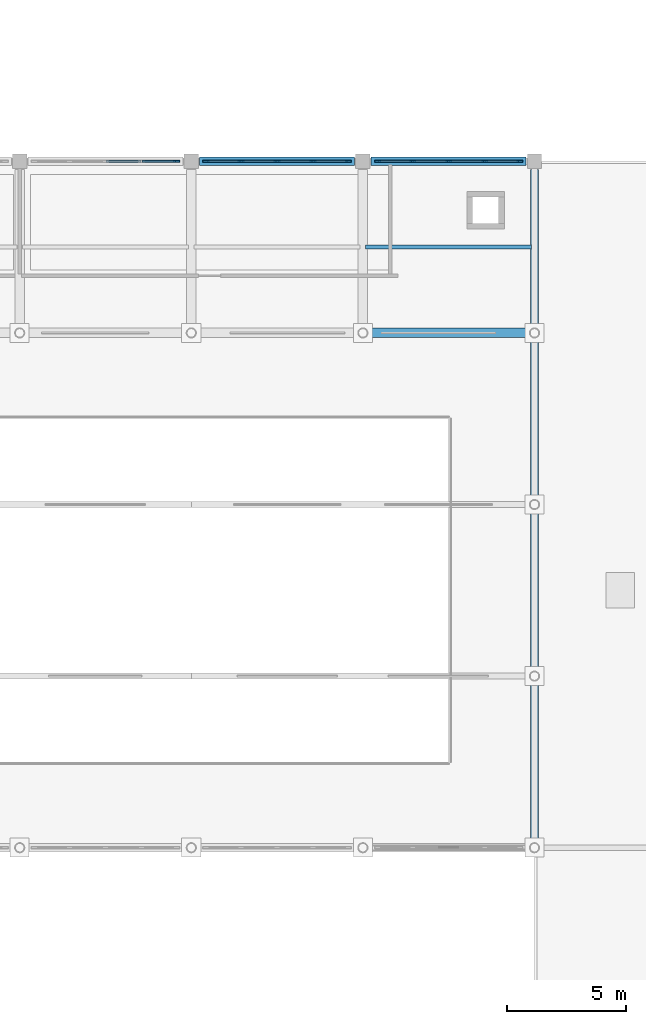
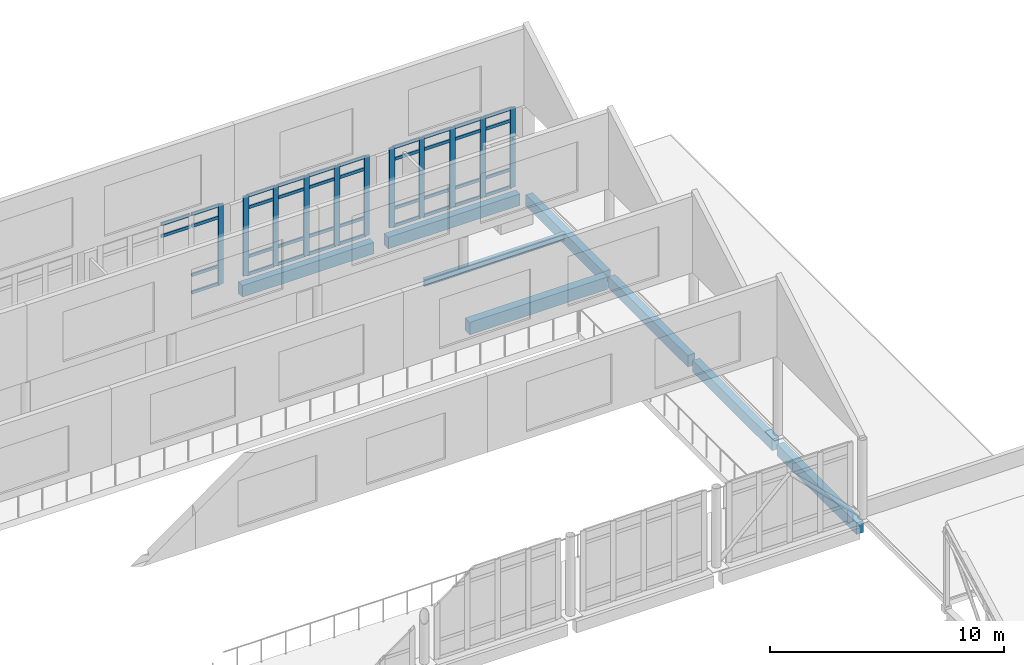
# One storey, part 22 of 62: 49 members, 8 beams, 3 elements without a shape of their own.
"""IFC4 building model written with IfcOpenShell, lengths in metres."""

from ifc_helpers import new_model, si_unit, direction, frame, origin, origin_2d, place, context, subcontext, project, spatial, rectangle, i_section, extrude, material, layer, layer_set, material_profile, profile_set, type_object, element, aggregate, save


model = new_model("IFC4")

# Units and contexts
model_context = context("Model", 3, precision=1e-05, world=origin(), true_north=direction((0.0, 1.0)))
body_context = subcontext(model_context, "Body", "Model", "MODEL_VIEW")
ifc_project = project(units=[si_unit("LENGTHUNIT", "METRE"), si_unit("AREAUNIT", "SQUARE_METRE"), si_unit("VOLUMEUNIT", "CUBIC_METRE"), si_unit("PLANEANGLEUNIT", "RADIAN"), si_unit("MASSUNIT", "GRAM", prefix="KILO")], contexts=[model_context])

# Site, building, storey
site_placement = place(None, origin())
site = spatial("IfcSite", under=ifc_project, at=site_placement, CompositionType="ELEMENT")
building_placement = place(site_placement, origin())
building = spatial("IfcBuilding", under=site, at=building_placement, Name="Valkovuoma Quantum and Materials Research Institute", CompositionType="ELEMENT")
storey_placement = place(building_placement, frame((0.0, 0.0, 13.1201171875)))
storey = spatial("IfcBuildingStorey", under=building, at=storey_placement, Name="L03", CompositionType="ELEMENT", Elevation=13.1201171875)

# Beams
ifc_material_1 = material(Name="Steel S355J2", Category="steel")
ifc_material_profile_1 = material_profile(ifc_material_1, i_section(OverallWidth=0.169921875, OverallDepth=0.360107421875, WebThickness=0.008056640625, FlangeThickness=0.0126953125, FilletRadius=0.01806640625, at=origin_2d()), Name="Steel S355J2")
ifc_profile_set_1 = profile_set([ifc_material_profile_1], Name="Steel S355J2")
beam_type_1 = type_object("IfcBeamType", Name="Beam-B-JST360", PredefinedType="JOIST", material=ifc_profile_set_1)
beam_1_placement = place(storey_placement, frame((93.719970703125, 61.199951171875, -0.530029296875), z_axis=(1.0, 0.0, 0.0), x_axis=(0.0, 1.0, 0.0)))
element("IfcBeam", 1, at=beam_1_placement, inside=storey, type_object=beam_type_1, Name="L03 floor joist 1745", PredefinedType="JOIST", context=body_context, shape_type="SweptSolid", body=[
    extrude(i_section(OverallWidth=0.169921875, OverallDepth=0.360107421875, WebThickness=0.008056640625, FlangeThickness=0.0126953125, FilletRadius=0.01806640625, at=origin_2d()), origin(), (0.0, 0.0, 1.0), 6.9599609375),
])
ifc_material_2 = material(Name="Concrete C40/50", Category="concrete")
ifc_material_profile_2 = material_profile(ifc_material_2, rectangle(XDim=0.39990234375, YDim=0.64990234375, at=origin_2d()), Name="Concrete C40/50")
ifc_profile_set_2 = profile_set([ifc_material_profile_2], Name="Concrete C40/50")
beam_type_2 = type_object("IfcBeamType", Name="Beam-B-RC650", PredefinedType="BEAM", material=ifc_profile_set_2)
beam_2_placement = place(storey_placement, frame((93.80322265625, 57.60009765625, -0.675048828125), z_axis=(1.0, 0.0, 0.0), x_axis=(0.0, 1.0, 0.0)))
element("IfcBeam", 2, at=beam_2_placement, inside=storey, type_object=beam_type_2, Name="L03 beam X-1477", PredefinedType="BEAM", context=body_context, shape_type="SweptSolid", body=[
    extrude(rectangle(XDim=0.39990234375, YDim=0.64990234375, at=origin_2d()), origin(), (0.0, 0.0, 1.0), 6.79345703125),
])
ifc_material_3 = material(Name="Concrete C40/50", Category="concrete")
ifc_material_profile_3 = material_profile(ifc_material_3, rectangle(XDim=0.35009765625, YDim=0.60009765625, at=origin_2d()), Name="Concrete C40/50")
ifc_profile_set_3 = profile_set([ifc_material_profile_3], Name="Concrete C40/50")
beam_type_3 = type_object("IfcBeamType", Name="Beam-B-SPN600", PredefinedType="SPANDREL", material=ifc_profile_set_3)
for number, where, z_axis, x_axis, name in (
    (3, (86.75, 64.800048828125, -0.650146484375), (1.0, 0.0, 0.0), (0.0, 1.0, 0.0), "L03 beam X-1495"),
    (4, (93.949951171875, 64.800048828125, -0.650146484375), (1.0, 0.0, 0.0), (0.0, 1.0, 0.0), "L03 beam X-1496"),
):
    element("IfcBeam", number, at=place(storey_placement, frame(where, z_axis=z_axis, x_axis=x_axis)), inside=storey, type_object=beam_type_3, Name=name, PredefinedType="SPANDREL", context=body_context, shape_type="SweptSolid", body=[
        extrude(rectangle(XDim=0.35009765625, YDim=0.60009765625, at=origin_2d()), origin(), (0.0, 0.0, 1.0), 6.5),
    ])
beam_3_placement = place(storey_placement, frame((100.800048828125, 36.203125, -0.650146484375), z_axis=(0.0, 1.0, 0.0), x_axis=(-1.0, 0.0, 0.0)))
element("IfcBeam", 5, at=beam_3_placement, inside=storey, type_object=beam_type_3, Name="L03 beam Y-1634", PredefinedType="SPANDREL", context=body_context, shape_type="SweptSolid", body=[
    extrude(rectangle(XDim=0.35009765625, YDim=0.60009765625, at=origin_2d()), origin(), (0.0, 0.0, 1.0), 6.793701171875),
])
for number, where, z_axis, x_axis, name in (
    (6, (100.800048828125, 43.4033203125, -0.650146484375), (0.0, 1.0, 0.0), (-1.0, 0.0, 0.0), "L03 beam Y-1635"),
    (7, (100.800048828125, 50.603271484375, -0.650146484375), (0.0, 1.0, 0.0), (-1.0, 0.0, 0.0), "L03 beam Y-1636"),
):
    element("IfcBeam", number, at=place(storey_placement, frame(where, z_axis=z_axis, x_axis=x_axis)), inside=storey, type_object=beam_type_3, Name=name, PredefinedType="SPANDREL", context=body_context, shape_type="SweptSolid", body=[
        extrude(rectangle(XDim=0.35009765625, YDim=0.60009765625, at=origin_2d()), origin(), (0.0, 0.0, 1.0), 6.79345703125),
    ])
beam_4_placement = place(storey_placement, frame((100.800048828125, 57.80322265625, -0.650146484375), z_axis=(0.0, 1.0, 0.0), x_axis=(-1.0, 0.0, 0.0)))
element("IfcBeam", 8, at=beam_4_placement, inside=storey, type_object=beam_type_3, Name="L03 beam Y-1637", PredefinedType="SPANDREL", context=body_context, shape_type="SweptSolid", body=[
    extrude(rectangle(XDim=0.35009765625, YDim=0.60009765625, at=origin_2d()), origin(), (0.0, 0.0, 1.0), 6.646728515625),
])

# Curtain wall, member
ifc_material_4 = material(Name="Thermally broken aluminium and triple low-E glazing", Category="aluminium")
ifc_layer = layer(ifc_material_4, 0.219970703125)
ifc_layer_set = layer_set([ifc_layer], Name="Thermally broken aluminium and triple low-E glazing")
curtain_wall_type = type_object("IfcCurtainWallType", Name="CW-CW-02", PredefinedType="NOTDEFINED", material=ifc_layer_set)
curtain_wall_1_placement = place(storey_placement, origin())
curtain_wall_1 = element("IfcCurtainWall", 9, at=curtain_wall_1_placement, inside=storey, type_object=curtain_wall_type, Name="L03 curtain wall 216", PredefinedType="NOTDEFINED")
ifc_material_5 = material(Name="Anodised aluminium 6060-T66", Category="aluminium")
ifc_material_profile_4 = material_profile(ifc_material_5, rectangle(XDim=0.080078125, YDim=0.260009765625, at=origin_2d()), Name="Anodised aluminium 6060-T66")
ifc_profile_set_4 = profile_set([ifc_material_profile_4], Name="Anodised aluminium 6060-T66")
member_type_1 = type_object("IfcMemberType", Name="CWMull-CWM-03", PredefinedType="MULLION", material=ifc_profile_set_4)
member_1_placement = place(storey_placement, frame((85.780029296875, 64.800048828125, 0.0), z_axis=(0.0, 0.0, 1.0), x_axis=(0.0, 1.0, 0.0)))
member_1 = element("IfcMember", 10, at=member_1_placement, type_object=member_type_1, Name="CW-02 mullion 5", PredefinedType="MULLION", context=body_context, shape_type="SweptSolid", body=[
    extrude(rectangle(XDim=0.080078125, YDim=0.260009765625, at=origin_2d()), origin(), (0.0, 0.0, 1.0), 4.159912109375),
])

# Curtain wall, members
curtain_wall_2_placement = place(storey_placement, origin())
curtain_wall_2 = element("IfcCurtainWall", 11, at=curtain_wall_2_placement, inside=storey, type_object=curtain_wall_type, Name="L03 curtain wall 217", PredefinedType="NOTDEFINED")
member_2_placement = place(storey_placement, frame((87.02001953125, 64.800048828125, 0.0), z_axis=(0.0, 0.0, 1.0), x_axis=(0.0, 1.0, 0.0)))
member_2 = element("IfcMember", 12, at=member_2_placement, type_object=member_type_1, Name="CW-02 mullion 1", PredefinedType="MULLION", context=body_context, shape_type="SweptSolid", body=[
    extrude(rectangle(XDim=0.080078125, YDim=0.260009765625, at=origin_2d()), origin(), (0.0, 0.0, 1.0), 4.159912109375),
])
member_3_placement = place(storey_placement, frame((88.489990234375, 64.800048828125, 0.0), z_axis=(0.0, 0.0, 1.0), x_axis=(0.0, 1.0, 0.0)))
member_3 = element("IfcMember", 13, at=member_3_placement, type_object=member_type_1, Name="CW-02 mullion 2", PredefinedType="MULLION", context=body_context, shape_type="SweptSolid", body=[
    extrude(rectangle(XDim=0.080078125, YDim=0.260009765625, at=origin_2d()), origin(), (0.0, 0.0, 1.0), 4.159912109375),
])
member_4_placement = place(storey_placement, frame((90.0, 64.800048828125, 0.0), z_axis=(0.0, 0.0, 1.0), x_axis=(0.0, 1.0, 0.0)))
member_4 = element("IfcMember", 14, at=member_4_placement, type_object=member_type_1, Name="CW-02 mullion 3", PredefinedType="MULLION", context=body_context, shape_type="SweptSolid", body=[
    extrude(rectangle(XDim=0.080078125, YDim=0.260009765625, at=origin_2d()), origin(), (0.0, 0.0, 1.0), 4.159912109375),
])
member_5_placement = place(storey_placement, frame((91.510009765625, 64.800048828125, 0.0), z_axis=(0.0, 0.0, 1.0), x_axis=(0.0, 1.0, 0.0)))
member_5 = element("IfcMember", 15, at=member_5_placement, type_object=member_type_1, Name="CW-02 mullion 4", PredefinedType="MULLION", context=body_context, shape_type="SweptSolid", body=[
    extrude(rectangle(XDim=0.080078125, YDim=0.260009765625, at=origin_2d()), origin(), (0.0, 0.0, 1.0), 4.159912109375),
])
member_6_placement = place(storey_placement, frame((92.97998046875, 64.800048828125, 0.0), z_axis=(0.0, 0.0, 1.0), x_axis=(0.0, 1.0, 0.0)))
member_6 = element("IfcMember", 16, at=member_6_placement, type_object=member_type_1, Name="CW-02 mullion 5", PredefinedType="MULLION", context=body_context, shape_type="SweptSolid", body=[
    extrude(rectangle(XDim=0.080078125, YDim=0.260009765625, at=origin_2d()), origin(), (0.0, 0.0, 1.0), 4.159912109375),
])

curtain_wall_3_placement = place(storey_placement, origin())
curtain_wall_3 = element("IfcCurtainWall", 17, at=curtain_wall_3_placement, inside=storey, type_object=curtain_wall_type, Name="L03 curtain wall 218", PredefinedType="NOTDEFINED")
member_7_placement = place(storey_placement, frame((94.219970703125, 64.800048828125, 0.0), z_axis=(0.0, 0.0, 1.0), x_axis=(0.0, 1.0, 0.0)))
member_7 = element("IfcMember", 18, at=member_7_placement, type_object=member_type_1, Name="CW-02 mullion 1", PredefinedType="MULLION", context=body_context, shape_type="SweptSolid", body=[
    extrude(rectangle(XDim=0.080078125, YDim=0.260009765625, at=origin_2d()), origin(), (0.0, 0.0, 1.0), 4.159912109375),
])
member_8_placement = place(storey_placement, frame((95.68994140625, 64.800048828125, 0.0), z_axis=(0.0, 0.0, 1.0), x_axis=(0.0, 1.0, 0.0)))
member_8 = element("IfcMember", 19, at=member_8_placement, type_object=member_type_1, Name="CW-02 mullion 2", PredefinedType="MULLION", context=body_context, shape_type="SweptSolid", body=[
    extrude(rectangle(XDim=0.080078125, YDim=0.260009765625, at=origin_2d()), origin(), (0.0, 0.0, 1.0), 4.159912109375),
])
member_9_placement = place(storey_placement, frame((97.199951171875, 64.800048828125, 0.0), z_axis=(0.0, 0.0, 1.0), x_axis=(0.0, 1.0, 0.0)))
member_9 = element("IfcMember", 20, at=member_9_placement, type_object=member_type_1, Name="CW-02 mullion 3", PredefinedType="MULLION", context=body_context, shape_type="SweptSolid", body=[
    extrude(rectangle(XDim=0.080078125, YDim=0.260009765625, at=origin_2d()), origin(), (0.0, 0.0, 1.0), 4.159912109375),
])
member_10_placement = place(storey_placement, frame((98.7099609375, 64.800048828125, 0.0), z_axis=(0.0, 0.0, 1.0), x_axis=(0.0, 1.0, 0.0)))
member_10 = element("IfcMember", 21, at=member_10_placement, type_object=member_type_1, Name="CW-02 mullion 4", PredefinedType="MULLION", context=body_context, shape_type="SweptSolid", body=[
    extrude(rectangle(XDim=0.080078125, YDim=0.260009765625, at=origin_2d()), origin(), (0.0, 0.0, 1.0), 4.159912109375),
])
member_11_placement = place(storey_placement, frame((100.179931640625, 64.800048828125, 0.0), z_axis=(0.0, 0.0, 1.0), x_axis=(0.0, 1.0, 0.0)))
member_11 = element("IfcMember", 22, at=member_11_placement, type_object=member_type_1, Name="CW-02 mullion 5", PredefinedType="MULLION", context=body_context, shape_type="SweptSolid", body=[
    extrude(rectangle(XDim=0.080078125, YDim=0.260009765625, at=origin_2d()), origin(), (0.0, 0.0, 1.0), 4.159912109375),
])

# Member
ifc_material_6 = material(Name="Anodised aluminium 6060-T66", Category="aluminium")
ifc_material_profile_5 = material_profile(ifc_material_6, rectangle(XDim=0.074951171875, YDim=0.159912109375, at=origin_2d()), Name="Anodised aluminium 6060-T66")
ifc_profile_set_5 = profile_set([ifc_material_profile_5], Name="Anodised aluminium 6060-T66")
member_type_2 = type_object("IfcMemberType", Name="CWTran-CWT-02", PredefinedType="USERDEFINED", material=ifc_profile_set_5)
member_12_placement = place(storey_placement, frame((82.840087890625, 64.800048828125, 3.509765625), z_axis=(1.0, 0.0, 0.0), x_axis=(0.0, 1.0, 0.0)))
member_12 = element("IfcMember", 23, at=member_12_placement, type_object=member_type_2, Name="CW-02 transom 3.3", ObjectType="TRANSOM", PredefinedType="USERDEFINED", context=body_context, shape_type="SweptSolid", body=[
    extrude(rectangle(XDim=0.074951171875, YDim=0.159912109375, at=origin_2d()), origin(), (0.0, 0.0, 1.0), 1.429931640625),
])

member_13_placement = place(storey_placement, frame((82.840087890625, 64.800048828125, 4.122314453125), z_axis=(1.0, 0.0, 0.0), x_axis=(0.0, 1.0, 0.0)))
member_13 = element("IfcMember", 24, at=member_13_placement, type_object=member_type_2, Name="CW-02 transom 3.4", ObjectType="TRANSOM", PredefinedType="USERDEFINED", context=body_context, shape_type="SweptSolid", body=[
    extrude(rectangle(XDim=0.074951171875, YDim=0.159912109375, at=origin_2d()), origin(), (0.0, 0.0, 1.0), 1.429931640625),
])

member_14_placement = place(storey_placement, frame((84.35009765625, 64.800048828125, 0.037353515625), z_axis=(1.0, 0.0, 0.0), x_axis=(0.0, 1.0, 0.0)))
member_14 = element("IfcMember", 25, at=member_14_placement, type_object=member_type_2, Name="CW-02 transom 4.1", ObjectType="TRANSOM", PredefinedType="USERDEFINED", context=body_context, shape_type="SweptSolid", body=[
    extrude(rectangle(XDim=0.074951171875, YDim=0.159912109375, at=origin_2d()), origin(), (0.0, 0.0, 1.0), 1.389892578125),
])

member_15_placement = place(storey_placement, frame((84.35009765625, 64.800048828125, 0.949951171875), z_axis=(1.0, 0.0, 0.0), x_axis=(0.0, 1.0, 0.0)))
member_15 = element("IfcMember", 26, at=member_15_placement, type_object=member_type_2, Name="CW-02 transom 4.2", ObjectType="TRANSOM", PredefinedType="USERDEFINED", context=body_context, shape_type="SweptSolid", body=[
    extrude(rectangle(XDim=0.074951171875, YDim=0.159912109375, at=origin_2d()), origin(), (0.0, 0.0, 1.0), 1.389892578125),
])

member_16_placement = place(storey_placement, frame((84.35009765625, 64.800048828125, 3.509765625), z_axis=(1.0, 0.0, 0.0), x_axis=(0.0, 1.0, 0.0)))
member_16 = element("IfcMember", 27, at=member_16_placement, type_object=member_type_2, Name="CW-02 transom 4.3", ObjectType="TRANSOM", PredefinedType="USERDEFINED", context=body_context, shape_type="SweptSolid", body=[
    extrude(rectangle(XDim=0.074951171875, YDim=0.159912109375, at=origin_2d()), origin(), (0.0, 0.0, 1.0), 1.389892578125),
])

member_17_placement = place(storey_placement, frame((84.35009765625, 64.800048828125, 4.122314453125), z_axis=(1.0, 0.0, 0.0), x_axis=(0.0, 1.0, 0.0)))
member_17 = element("IfcMember", 28, at=member_17_placement, type_object=member_type_2, Name="CW-02 transom 4.4", ObjectType="TRANSOM", PredefinedType="USERDEFINED", context=body_context, shape_type="SweptSolid", body=[
    extrude(rectangle(XDim=0.074951171875, YDim=0.159912109375, at=origin_2d()), origin(), (0.0, 0.0, 1.0), 1.389892578125),
])

aggregate(curtain_wall_1, [member_1, member_12, member_13, member_14, member_15, member_16, member_17])

member_18_placement = place(storey_placement, frame((87.06005859375, 64.800048828125, 0.037353515625), z_axis=(1.0, 0.0, 0.0), x_axis=(0.0, 1.0, 0.0)))
member_18 = element("IfcMember", 29, at=member_18_placement, type_object=member_type_2, Name="CW-02 transom 1.1", ObjectType="TRANSOM", PredefinedType="USERDEFINED", context=body_context, shape_type="SweptSolid", body=[
    extrude(rectangle(XDim=0.074951171875, YDim=0.159912109375, at=origin_2d()), origin(), (0.0, 0.0, 1.0), 1.389892578125),
])

member_19_placement = place(storey_placement, frame((87.06005859375, 64.800048828125, 0.949951171875), z_axis=(1.0, 0.0, 0.0), x_axis=(0.0, 1.0, 0.0)))
member_19 = element("IfcMember", 30, at=member_19_placement, type_object=member_type_2, Name="CW-02 transom 1.2", ObjectType="TRANSOM", PredefinedType="USERDEFINED", context=body_context, shape_type="SweptSolid", body=[
    extrude(rectangle(XDim=0.074951171875, YDim=0.159912109375, at=origin_2d()), origin(), (0.0, 0.0, 1.0), 1.389892578125),
])

member_20_placement = place(storey_placement, frame((87.06005859375, 64.800048828125, 3.509765625), z_axis=(1.0, 0.0, 0.0), x_axis=(0.0, 1.0, 0.0)))
member_20 = element("IfcMember", 31, at=member_20_placement, type_object=member_type_2, Name="CW-02 transom 1.3", ObjectType="TRANSOM", PredefinedType="USERDEFINED", context=body_context, shape_type="SweptSolid", body=[
    extrude(rectangle(XDim=0.074951171875, YDim=0.159912109375, at=origin_2d()), origin(), (0.0, 0.0, 1.0), 1.389892578125),
])

member_21_placement = place(storey_placement, frame((87.06005859375, 64.800048828125, 4.122314453125), z_axis=(1.0, 0.0, 0.0), x_axis=(0.0, 1.0, 0.0)))
member_21 = element("IfcMember", 32, at=member_21_placement, type_object=member_type_2, Name="CW-02 transom 1.4", ObjectType="TRANSOM", PredefinedType="USERDEFINED", context=body_context, shape_type="SweptSolid", body=[
    extrude(rectangle(XDim=0.074951171875, YDim=0.159912109375, at=origin_2d()), origin(), (0.0, 0.0, 1.0), 1.389892578125),
])

member_22_placement = place(storey_placement, frame((88.530029296875, 64.800048828125, 0.037353515625), z_axis=(1.0, 0.0, 0.0), x_axis=(0.0, 1.0, 0.0)))
member_22 = element("IfcMember", 33, at=member_22_placement, type_object=member_type_2, Name="CW-02 transom 2.1", ObjectType="TRANSOM", PredefinedType="USERDEFINED", context=body_context, shape_type="SweptSolid", body=[
    extrude(rectangle(XDim=0.074951171875, YDim=0.159912109375, at=origin_2d()), origin(), (0.0, 0.0, 1.0), 1.429931640625),
])

member_23_placement = place(storey_placement, frame((88.530029296875, 64.800048828125, 0.949951171875), z_axis=(1.0, 0.0, 0.0), x_axis=(0.0, 1.0, 0.0)))
member_23 = element("IfcMember", 34, at=member_23_placement, type_object=member_type_2, Name="CW-02 transom 2.2", ObjectType="TRANSOM", PredefinedType="USERDEFINED", context=body_context, shape_type="SweptSolid", body=[
    extrude(rectangle(XDim=0.074951171875, YDim=0.159912109375, at=origin_2d()), origin(), (0.0, 0.0, 1.0), 1.429931640625),
])

member_24_placement = place(storey_placement, frame((88.530029296875, 64.800048828125, 3.509765625), z_axis=(1.0, 0.0, 0.0), x_axis=(0.0, 1.0, 0.0)))
member_24 = element("IfcMember", 35, at=member_24_placement, type_object=member_type_2, Name="CW-02 transom 2.3", ObjectType="TRANSOM", PredefinedType="USERDEFINED", context=body_context, shape_type="SweptSolid", body=[
    extrude(rectangle(XDim=0.074951171875, YDim=0.159912109375, at=origin_2d()), origin(), (0.0, 0.0, 1.0), 1.429931640625),
])

member_25_placement = place(storey_placement, frame((88.530029296875, 64.800048828125, 4.122314453125), z_axis=(1.0, 0.0, 0.0), x_axis=(0.0, 1.0, 0.0)))
member_25 = element("IfcMember", 36, at=member_25_placement, type_object=member_type_2, Name="CW-02 transom 2.4", ObjectType="TRANSOM", PredefinedType="USERDEFINED", context=body_context, shape_type="SweptSolid", body=[
    extrude(rectangle(XDim=0.074951171875, YDim=0.159912109375, at=origin_2d()), origin(), (0.0, 0.0, 1.0), 1.429931640625),
])

member_26_placement = place(storey_placement, frame((90.0400390625, 64.800048828125, 0.037353515625), z_axis=(1.0, 0.0, 0.0), x_axis=(0.0, 1.0, 0.0)))
member_26 = element("IfcMember", 37, at=member_26_placement, type_object=member_type_2, Name="CW-02 transom 3.1", ObjectType="TRANSOM", PredefinedType="USERDEFINED", context=body_context, shape_type="SweptSolid", body=[
    extrude(rectangle(XDim=0.074951171875, YDim=0.159912109375, at=origin_2d()), origin(), (0.0, 0.0, 1.0), 1.429931640625),
])

member_27_placement = place(storey_placement, frame((90.0400390625, 64.800048828125, 0.949951171875), z_axis=(1.0, 0.0, 0.0), x_axis=(0.0, 1.0, 0.0)))
member_27 = element("IfcMember", 38, at=member_27_placement, type_object=member_type_2, Name="CW-02 transom 3.2", ObjectType="TRANSOM", PredefinedType="USERDEFINED", context=body_context, shape_type="SweptSolid", body=[
    extrude(rectangle(XDim=0.074951171875, YDim=0.159912109375, at=origin_2d()), origin(), (0.0, 0.0, 1.0), 1.429931640625),
])

member_28_placement = place(storey_placement, frame((90.0400390625, 64.800048828125, 3.509765625), z_axis=(1.0, 0.0, 0.0), x_axis=(0.0, 1.0, 0.0)))
member_28 = element("IfcMember", 39, at=member_28_placement, type_object=member_type_2, Name="CW-02 transom 3.3", ObjectType="TRANSOM", PredefinedType="USERDEFINED", context=body_context, shape_type="SweptSolid", body=[
    extrude(rectangle(XDim=0.074951171875, YDim=0.159912109375, at=origin_2d()), origin(), (0.0, 0.0, 1.0), 1.429931640625),
])

member_29_placement = place(storey_placement, frame((90.0400390625, 64.800048828125, 4.122314453125), z_axis=(1.0, 0.0, 0.0), x_axis=(0.0, 1.0, 0.0)))
member_29 = element("IfcMember", 40, at=member_29_placement, type_object=member_type_2, Name="CW-02 transom 3.4", ObjectType="TRANSOM", PredefinedType="USERDEFINED", context=body_context, shape_type="SweptSolid", body=[
    extrude(rectangle(XDim=0.074951171875, YDim=0.159912109375, at=origin_2d()), origin(), (0.0, 0.0, 1.0), 1.429931640625),
])

member_30_placement = place(storey_placement, frame((91.550048828125, 64.800048828125, 0.037353515625), z_axis=(1.0, 0.0, 0.0), x_axis=(0.0, 1.0, 0.0)))
member_30 = element("IfcMember", 41, at=member_30_placement, type_object=member_type_2, Name="CW-02 transom 4.1", ObjectType="TRANSOM", PredefinedType="USERDEFINED", context=body_context, shape_type="SweptSolid", body=[
    extrude(rectangle(XDim=0.074951171875, YDim=0.159912109375, at=origin_2d()), origin(), (0.0, 0.0, 1.0), 1.389892578125),
])

member_31_placement = place(storey_placement, frame((91.550048828125, 64.800048828125, 0.949951171875), z_axis=(1.0, 0.0, 0.0), x_axis=(0.0, 1.0, 0.0)))
member_31 = element("IfcMember", 42, at=member_31_placement, type_object=member_type_2, Name="CW-02 transom 4.2", ObjectType="TRANSOM", PredefinedType="USERDEFINED", context=body_context, shape_type="SweptSolid", body=[
    extrude(rectangle(XDim=0.074951171875, YDim=0.159912109375, at=origin_2d()), origin(), (0.0, 0.0, 1.0), 1.389892578125),
])

member_32_placement = place(storey_placement, frame((91.550048828125, 64.800048828125, 3.509765625), z_axis=(1.0, 0.0, 0.0), x_axis=(0.0, 1.0, 0.0)))
member_32 = element("IfcMember", 43, at=member_32_placement, type_object=member_type_2, Name="CW-02 transom 4.3", ObjectType="TRANSOM", PredefinedType="USERDEFINED", context=body_context, shape_type="SweptSolid", body=[
    extrude(rectangle(XDim=0.074951171875, YDim=0.159912109375, at=origin_2d()), origin(), (0.0, 0.0, 1.0), 1.389892578125),
])

member_33_placement = place(storey_placement, frame((91.550048828125, 64.800048828125, 4.122314453125), z_axis=(1.0, 0.0, 0.0), x_axis=(0.0, 1.0, 0.0)))
member_33 = element("IfcMember", 44, at=member_33_placement, type_object=member_type_2, Name="CW-02 transom 4.4", ObjectType="TRANSOM", PredefinedType="USERDEFINED", context=body_context, shape_type="SweptSolid", body=[
    extrude(rectangle(XDim=0.074951171875, YDim=0.159912109375, at=origin_2d()), origin(), (0.0, 0.0, 1.0), 1.389892578125),
])

aggregate(curtain_wall_2, [member_2, member_3, member_4, member_5, member_6, member_18, member_19, member_20, member_21, member_22, member_23, member_24, member_25, member_26, member_27, member_28, member_29, member_30, member_31, member_32, member_33])

member_34_placement = place(storey_placement, frame((94.260009765625, 64.800048828125, 0.037353515625), z_axis=(1.0, 0.0, 0.0), x_axis=(0.0, 1.0, 0.0)))
member_34 = element("IfcMember", 45, at=member_34_placement, type_object=member_type_2, Name="CW-02 transom 1.1", ObjectType="TRANSOM", PredefinedType="USERDEFINED", context=body_context, shape_type="SweptSolid", body=[
    extrude(rectangle(XDim=0.074951171875, YDim=0.159912109375, at=origin_2d()), origin(), (0.0, 0.0, 1.0), 1.389892578125),
])

member_35_placement = place(storey_placement, frame((94.260009765625, 64.800048828125, 0.949951171875), z_axis=(1.0, 0.0, 0.0), x_axis=(0.0, 1.0, 0.0)))
member_35 = element("IfcMember", 46, at=member_35_placement, type_object=member_type_2, Name="CW-02 transom 1.2", ObjectType="TRANSOM", PredefinedType="USERDEFINED", context=body_context, shape_type="SweptSolid", body=[
    extrude(rectangle(XDim=0.074951171875, YDim=0.159912109375, at=origin_2d()), origin(), (0.0, 0.0, 1.0), 1.389892578125),
])

member_36_placement = place(storey_placement, frame((94.260009765625, 64.800048828125, 3.509765625), z_axis=(1.0, 0.0, 0.0), x_axis=(0.0, 1.0, 0.0)))
member_36 = element("IfcMember", 47, at=member_36_placement, type_object=member_type_2, Name="CW-02 transom 1.3", ObjectType="TRANSOM", PredefinedType="USERDEFINED", context=body_context, shape_type="SweptSolid", body=[
    extrude(rectangle(XDim=0.074951171875, YDim=0.159912109375, at=origin_2d()), origin(), (0.0, 0.0, 1.0), 1.389892578125),
])

member_37_placement = place(storey_placement, frame((94.260009765625, 64.800048828125, 4.122314453125), z_axis=(1.0, 0.0, 0.0), x_axis=(0.0, 1.0, 0.0)))
member_37 = element("IfcMember", 48, at=member_37_placement, type_object=member_type_2, Name="CW-02 transom 1.4", ObjectType="TRANSOM", PredefinedType="USERDEFINED", context=body_context, shape_type="SweptSolid", body=[
    extrude(rectangle(XDim=0.074951171875, YDim=0.159912109375, at=origin_2d()), origin(), (0.0, 0.0, 1.0), 1.389892578125),
])

member_38_placement = place(storey_placement, frame((95.72998046875, 64.800048828125, 0.037353515625), z_axis=(1.0, 0.0, 0.0), x_axis=(0.0, 1.0, 0.0)))
member_38 = element("IfcMember", 49, at=member_38_placement, type_object=member_type_2, Name="CW-02 transom 2.1", ObjectType="TRANSOM", PredefinedType="USERDEFINED", context=body_context, shape_type="SweptSolid", body=[
    extrude(rectangle(XDim=0.074951171875, YDim=0.159912109375, at=origin_2d()), origin(), (0.0, 0.0, 1.0), 1.429931640625),
])

member_39_placement = place(storey_placement, frame((95.72998046875, 64.800048828125, 0.949951171875), z_axis=(1.0, 0.0, 0.0), x_axis=(0.0, 1.0, 0.0)))
member_39 = element("IfcMember", 50, at=member_39_placement, type_object=member_type_2, Name="CW-02 transom 2.2", ObjectType="TRANSOM", PredefinedType="USERDEFINED", context=body_context, shape_type="SweptSolid", body=[
    extrude(rectangle(XDim=0.074951171875, YDim=0.159912109375, at=origin_2d()), origin(), (0.0, 0.0, 1.0), 1.429931640625),
])

member_40_placement = place(storey_placement, frame((95.72998046875, 64.800048828125, 3.509765625), z_axis=(1.0, 0.0, 0.0), x_axis=(0.0, 1.0, 0.0)))
member_40 = element("IfcMember", 51, at=member_40_placement, type_object=member_type_2, Name="CW-02 transom 2.3", ObjectType="TRANSOM", PredefinedType="USERDEFINED", context=body_context, shape_type="SweptSolid", body=[
    extrude(rectangle(XDim=0.074951171875, YDim=0.159912109375, at=origin_2d()), origin(), (0.0, 0.0, 1.0), 1.429931640625),
])

member_41_placement = place(storey_placement, frame((95.72998046875, 64.800048828125, 4.122314453125), z_axis=(1.0, 0.0, 0.0), x_axis=(0.0, 1.0, 0.0)))
member_41 = element("IfcMember", 52, at=member_41_placement, type_object=member_type_2, Name="CW-02 transom 2.4", ObjectType="TRANSOM", PredefinedType="USERDEFINED", context=body_context, shape_type="SweptSolid", body=[
    extrude(rectangle(XDim=0.074951171875, YDim=0.159912109375, at=origin_2d()), origin(), (0.0, 0.0, 1.0), 1.429931640625),
])

member_42_placement = place(storey_placement, frame((97.239990234375, 64.800048828125, 0.037353515625), z_axis=(1.0, 0.0, 0.0), x_axis=(0.0, 1.0, 0.0)))
member_42 = element("IfcMember", 53, at=member_42_placement, type_object=member_type_2, Name="CW-02 transom 3.1", ObjectType="TRANSOM", PredefinedType="USERDEFINED", context=body_context, shape_type="SweptSolid", body=[
    extrude(rectangle(XDim=0.074951171875, YDim=0.159912109375, at=origin_2d()), origin(), (0.0, 0.0, 1.0), 1.429931640625),
])

member_43_placement = place(storey_placement, frame((97.239990234375, 64.800048828125, 0.949951171875), z_axis=(1.0, 0.0, 0.0), x_axis=(0.0, 1.0, 0.0)))
member_43 = element("IfcMember", 54, at=member_43_placement, type_object=member_type_2, Name="CW-02 transom 3.2", ObjectType="TRANSOM", PredefinedType="USERDEFINED", context=body_context, shape_type="SweptSolid", body=[
    extrude(rectangle(XDim=0.074951171875, YDim=0.159912109375, at=origin_2d()), origin(), (0.0, 0.0, 1.0), 1.429931640625),
])

member_44_placement = place(storey_placement, frame((97.239990234375, 64.800048828125, 3.509765625), z_axis=(1.0, 0.0, 0.0), x_axis=(0.0, 1.0, 0.0)))
member_44 = element("IfcMember", 55, at=member_44_placement, type_object=member_type_2, Name="CW-02 transom 3.3", ObjectType="TRANSOM", PredefinedType="USERDEFINED", context=body_context, shape_type="SweptSolid", body=[
    extrude(rectangle(XDim=0.074951171875, YDim=0.159912109375, at=origin_2d()), origin(), (0.0, 0.0, 1.0), 1.429931640625),
])

member_45_placement = place(storey_placement, frame((97.239990234375, 64.800048828125, 4.122314453125), z_axis=(1.0, 0.0, 0.0), x_axis=(0.0, 1.0, 0.0)))
member_45 = element("IfcMember", 56, at=member_45_placement, type_object=member_type_2, Name="CW-02 transom 3.4", ObjectType="TRANSOM", PredefinedType="USERDEFINED", context=body_context, shape_type="SweptSolid", body=[
    extrude(rectangle(XDim=0.074951171875, YDim=0.159912109375, at=origin_2d()), origin(), (0.0, 0.0, 1.0), 1.429931640625),
])

member_46_placement = place(storey_placement, frame((98.75, 64.800048828125, 0.037353515625), z_axis=(1.0, 0.0, 0.0), x_axis=(0.0, 1.0, 0.0)))
member_46 = element("IfcMember", 57, at=member_46_placement, type_object=member_type_2, Name="CW-02 transom 4.1", ObjectType="TRANSOM", PredefinedType="USERDEFINED", context=body_context, shape_type="SweptSolid", body=[
    extrude(rectangle(XDim=0.074951171875, YDim=0.159912109375, at=origin_2d()), origin(), (0.0, 0.0, 1.0), 1.389892578125),
])

member_47_placement = place(storey_placement, frame((98.75, 64.800048828125, 0.949951171875), z_axis=(1.0, 0.0, 0.0), x_axis=(0.0, 1.0, 0.0)))
member_47 = element("IfcMember", 58, at=member_47_placement, type_object=member_type_2, Name="CW-02 transom 4.2", ObjectType="TRANSOM", PredefinedType="USERDEFINED", context=body_context, shape_type="SweptSolid", body=[
    extrude(rectangle(XDim=0.074951171875, YDim=0.159912109375, at=origin_2d()), origin(), (0.0, 0.0, 1.0), 1.389892578125),
])

member_48_placement = place(storey_placement, frame((98.75, 64.800048828125, 3.509765625), z_axis=(1.0, 0.0, 0.0), x_axis=(0.0, 1.0, 0.0)))
member_48 = element("IfcMember", 59, at=member_48_placement, type_object=member_type_2, Name="CW-02 transom 4.3", ObjectType="TRANSOM", PredefinedType="USERDEFINED", context=body_context, shape_type="SweptSolid", body=[
    extrude(rectangle(XDim=0.074951171875, YDim=0.159912109375, at=origin_2d()), origin(), (0.0, 0.0, 1.0), 1.389892578125),
])

member_49_placement = place(storey_placement, frame((98.75, 64.800048828125, 4.122314453125), z_axis=(1.0, 0.0, 0.0), x_axis=(0.0, 1.0, 0.0)))
member_49 = element("IfcMember", 60, at=member_49_placement, type_object=member_type_2, Name="CW-02 transom 4.4", ObjectType="TRANSOM", PredefinedType="USERDEFINED", context=body_context, shape_type="SweptSolid", body=[
    extrude(rectangle(XDim=0.074951171875, YDim=0.159912109375, at=origin_2d()), origin(), (0.0, 0.0, 1.0), 1.389892578125),
])

aggregate(curtain_wall_3, [member_7, member_8, member_9, member_10, member_11, member_34, member_35, member_36, member_37, member_38, member_39, member_40, member_41, member_42, member_43, member_44, member_45, member_46, member_47, member_48, member_49])

save(model, "model.ifc")
